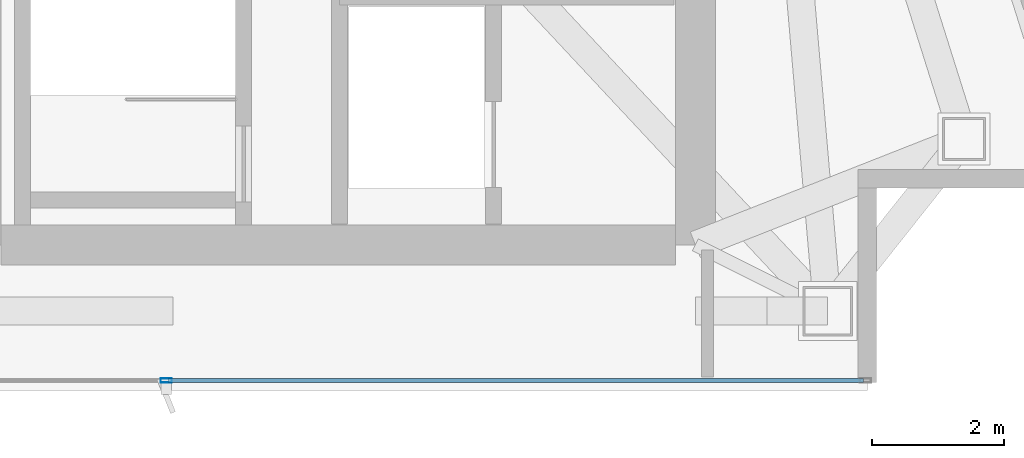
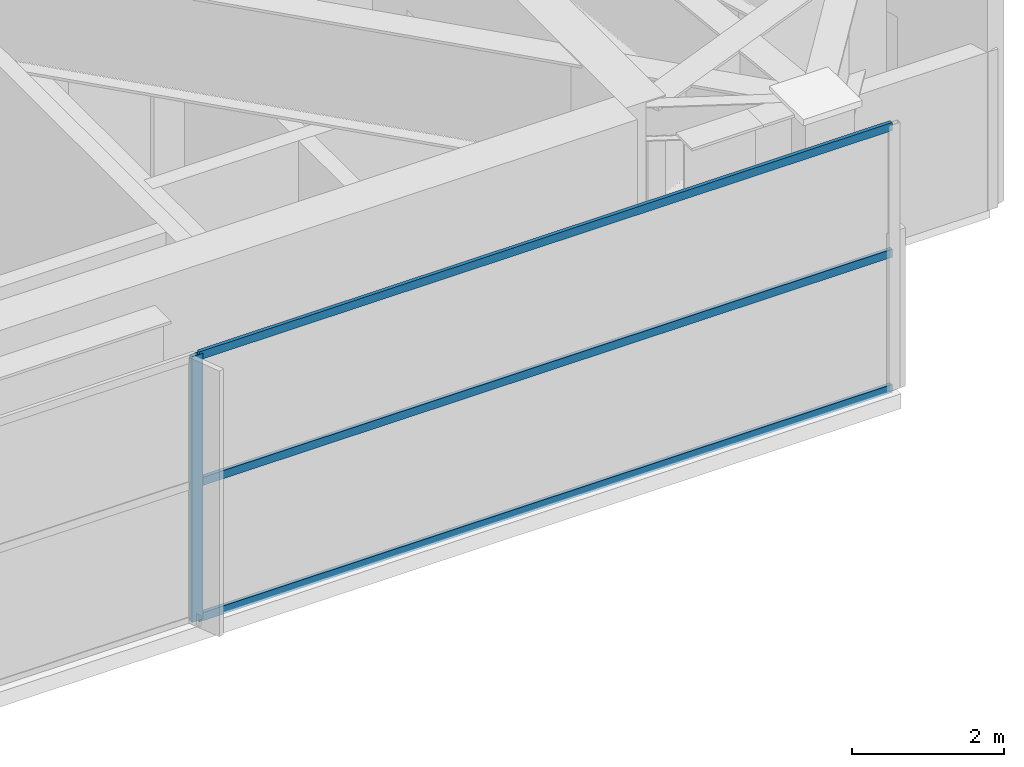
# One storey, part 7 of 25: 4 members, 1 element without a shape of its own.
"""IFC4 building model written with IfcOpenShell, lengths in metres."""

from ifc_helpers import new_model, si_unit, direction, frame, origin, origin_2d, place, context, subcontext, project, spatial, hollow_rectangle, extrude, material, layer, layer_set, material_profile, profile_set, type_object, element, aggregate, save


model = new_model("IFC4")

# Units and contexts
model_context = context("Model", 3, precision=1e-05, world=origin(), true_north=direction((0.0, 1.0)))
body_context = subcontext(model_context, "Body", "Model", "MODEL_VIEW")
ifc_project = project(units=[si_unit("LENGTHUNIT", "METRE"), si_unit("AREAUNIT", "SQUARE_METRE"), si_unit("VOLUMEUNIT", "CUBIC_METRE"), si_unit("PLANEANGLEUNIT", "RADIAN"), si_unit("MASSUNIT", "GRAM", prefix="KILO")], contexts=[model_context])

# Site, building, storey
site_placement = place(None, origin())
site = spatial("IfcSite", under=ifc_project, at=site_placement, CompositionType="ELEMENT")
building_placement = place(site_placement, origin())
building = spatial("IfcBuilding", under=site, at=building_placement, Name="Calvorn Quay Hotel", CompositionType="ELEMENT")
storey_placement = place(building_placement, frame((0.0, 0.0, 316.0)))
storey = spatial("IfcBuildingStorey", under=building, at=storey_placement, Name="L78", CompositionType="ELEMENT", Elevation=316.0)

# Curtain wall, members
ifc_material_1 = material(Name="Champagne Bronze Anodised Aluminium and Low-E Glass", Category="aluminium")
ifc_layer = layer(ifc_material_1, 0.219970703125)
ifc_layer_set = layer_set([ifc_layer], Name="CW-SYS-Z4")
curtain_wall_type = type_object("IfcCurtainWallType", Name="CW-SYS-Z4", PredefinedType="NOTDEFINED", material=ifc_layer_set)
curtain_wall_placement = place(storey_placement, origin())
curtain_wall = element("IfcCurtainWall", 1, at=curtain_wall_placement, inside=storey, type_object=curtain_wall_type, Name="Tower South Waterfront Curtain Wall (L78)", PredefinedType="NOTDEFINED")
ifc_material_2 = material(Name="Champagne Bronze Anodised Aluminium 6063-T6", Category="aluminium")
ifc_material_profile_1 = material_profile(ifc_material_2, hollow_rectangle(XDim=0.06494140625, YDim=0.169921875, WallThickness=0.00341796875, at=origin_2d()), Name="ALU-M170x65x3.5")
ifc_profile_set_1 = profile_set([ifc_material_profile_1], Name="Champagne Bronze Anodised Aluminium 6063-T6")
member_type_1 = type_object("IfcMemberType", Name="CW-SYS-Z4-MUL", PredefinedType="MULLION", material=ifc_profile_set_1)
member_1_placement = place(storey_placement, frame((24.39990234375, 2.550048828125, 0.0), z_axis=(0.0, 0.0, 1.0), x_axis=(0.0, 1.0, 0.0)))
member_1 = element("IfcMember", 2, at=member_1_placement, type_object=member_type_1, Name="CW-L78-S mullion 3", PredefinedType="MULLION", context=body_context, shape_type="SweptSolid", body=[
    extrude(hollow_rectangle(XDim=0.06494140625, YDim=0.169921875, WallThickness=0.00341796875, at=origin_2d()), origin(), (0.0, 0.0, 1.0), 4.260009765625),
])
ifc_material_3 = material(Name="Champagne Bronze Anodised Aluminium 6063-T6", Category="aluminium")
ifc_material_profile_2 = material_profile(ifc_material_3, hollow_rectangle(XDim=0.054931640625, YDim=0.1298828125, WallThickness=0.003173828125, at=origin_2d()), Name="ALU-T130x55x3.2")
ifc_profile_set_2 = profile_set([ifc_material_profile_2], Name="Champagne Bronze Anodised Aluminium 6063-T6")
member_type_2 = type_object("IfcMemberType", Name="CW-SYS-Z4-TRN", PredefinedType="USERDEFINED", material=ifc_profile_set_2)
member_2_placement = place(storey_placement, frame((24.429931640625, 2.550048828125, 0.030029296875), z_axis=(1.0, 0.0, 0.0), x_axis=(0.0, 1.0, 0.0)))
member_2 = element("IfcMember", 3, at=member_2_placement, type_object=member_type_2, Name="CW-L78-S transom 3.1", ObjectType="TRANSOM", PredefinedType="USERDEFINED", context=body_context, shape_type="SweptSolid", body=[
    extrude(hollow_rectangle(XDim=0.054931640625, YDim=0.1298828125, WallThickness=0.003173828125, at=origin_2d()), origin(), (0.0, 0.0, 1.0), 10.510009765625),
])
member_3_placement = place(storey_placement, frame((24.429931640625, 2.550048828125, 2.199951171875), z_axis=(1.0, 0.0, 0.0), x_axis=(0.0, 1.0, 0.0)))
member_3 = element("IfcMember", 4, at=member_3_placement, type_object=member_type_2, Name="CW-L78-S transom 3.2", ObjectType="TRANSOM", PredefinedType="USERDEFINED", context=body_context, shape_type="SweptSolid", body=[
    extrude(hollow_rectangle(XDim=0.054931640625, YDim=0.1298828125, WallThickness=0.003173828125, at=origin_2d()), origin(), (0.0, 0.0, 1.0), 10.510009765625),
])
member_4_placement = place(storey_placement, frame((24.429931640625, 2.550048828125, 4.22998046875), z_axis=(1.0, 0.0, 0.0), x_axis=(0.0, 1.0, 0.0)))
member_4 = element("IfcMember", 5, at=member_4_placement, type_object=member_type_2, Name="CW-L78-S transom 3.3", ObjectType="TRANSOM", PredefinedType="USERDEFINED", context=body_context, shape_type="SweptSolid", body=[
    extrude(hollow_rectangle(XDim=0.054931640625, YDim=0.1298828125, WallThickness=0.003173828125, at=origin_2d()), origin(), (0.0, 0.0, 1.0), 10.510009765625),
])
aggregate(curtain_wall, [member_1, member_2, member_3, member_4])

save(model, "model.ifc")
